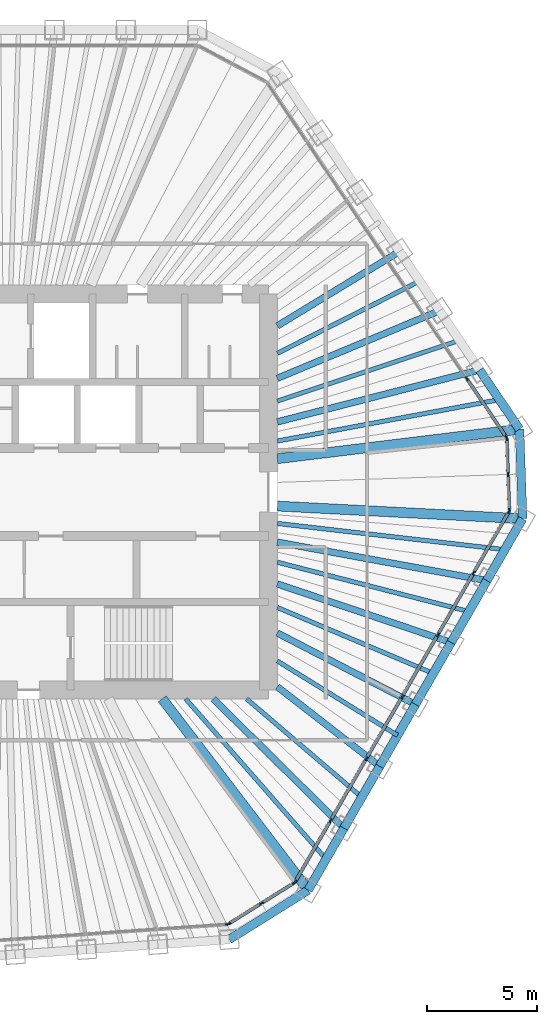
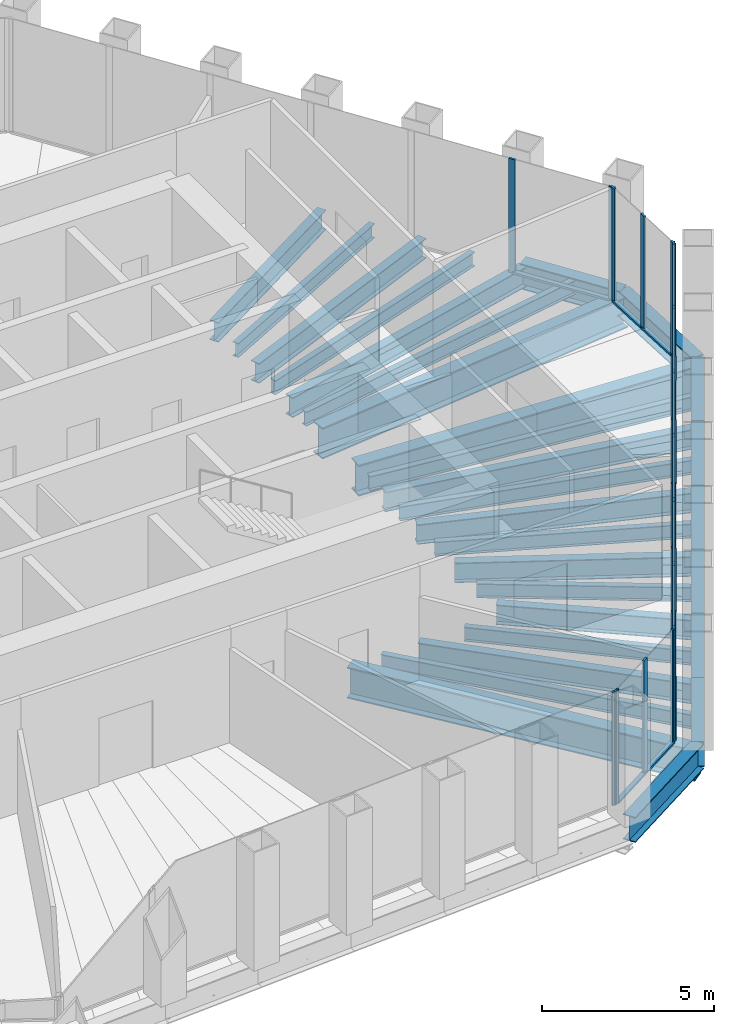
# One storey, part 5 of 15: 29 beams, 27 members, 5 elements without a shape of their own.
"""IFC4 building model written with IfcOpenShell, lengths in metres."""

from ifc_helpers import new_model, si_unit, direction, frame, origin, origin_2d, place, context, subcontext, project, spatial, rectangle, i_section, extrude, material, material_profile, profile_set, type_object, element, aggregate, save


model = new_model("IFC4")

# Units and contexts
model_context = context("Model", 3, precision=1e-05, world=origin(), true_north=direction((0.0, 1.0)))
body_context = subcontext(model_context, "Body", "Model", "MODEL_VIEW")
ifc_project = project(units=[si_unit("LENGTHUNIT", "METRE"), si_unit("AREAUNIT", "SQUARE_METRE"), si_unit("VOLUMEUNIT", "CUBIC_METRE"), si_unit("PLANEANGLEUNIT", "RADIAN"), si_unit("MASSUNIT", "GRAM", prefix="KILO")], contexts=[model_context])

# Site, building, storey
site_placement = place(None, origin())
site = spatial("IfcSite", under=ifc_project, at=site_placement, CompositionType="ELEMENT")
building_placement = place(site_placement, origin())
building = spatial("IfcBuilding", under=site, at=building_placement, Name="Qingtian Harvest Tower", CompositionType="ELEMENT")
storey_placement = place(building_placement, frame((0.0, 0.0, 312.39990234375)))
storey = spatial("IfcBuildingStorey", under=building, at=storey_placement, Name="L69", CompositionType="ELEMENT", Elevation=312.39990234375)

# Beams
ifc_material_1 = material(Name="Steel SM570MC", Category="steel")
ifc_material_profile_1 = material_profile(ifc_material_1, i_section(OverallWidth=0.449951171875, OverallDepth=1.10009765625, WebThickness=0.02197265625, FlangeThickness=0.044921875, at=origin_2d()), Name="H1100x450x22x45")
ifc_profile_set_1 = profile_set([ifc_material_profile_1], Name="Steel SM570MC")
beam_type_1 = type_object("IfcBeamType", Name="Corner floor beam FB8 H1100x450x22x45", PredefinedType="BEAM", material=ifc_profile_set_1)
beam_1_placement = place(storey_placement, frame((23.405517578125, 2.85400390625, -0.719970703125), z_axis=(-0.992647039178, -0.121044849583, 0.0), x_axis=(0.121044849583, -0.992647039178, 0.0)))
element("IfcBeam", 1, at=beam_1_placement, inside=storey, type_object=beam_type_1, Name="Floor beam FB8 NE6", PredefinedType="BEAM", context=body_context, shape_type="SweptSolid", body=[
    extrude(i_section(OverallWidth=0.449951171875, OverallDepth=1.10009765625, WebThickness=0.02197265625, FlangeThickness=0.044921875, at=origin_2d()), origin(), (0.0, 0.0, 1.0), 11.087158203125),
])
beam_2_placement = place(storey_placement, frame((23.547607421875, -1.21435546875, -0.719970703125), z_axis=(-0.998672618964, 0.051507282312, 0.0), x_axis=(-0.051507282312, -0.998672618964, 0.0)))
element("IfcBeam", 2, at=beam_2_placement, inside=storey, type_object=beam_type_1, Name="Floor beam FB8 SE0", PredefinedType="BEAM", context=body_context, shape_type="SweptSolid", body=[
    extrude(i_section(OverallWidth=0.449951171875, OverallDepth=1.10009765625, WebThickness=0.02197265625, FlangeThickness=0.044921875, at=origin_2d()), origin(), (0.0, 0.0, 1.0), 11.16259765625),
])
beam_3_placement = place(storey_placement, frame((13.803466796875, -18.091552734375, -0.719970703125), z_axis=(-0.606571927806, 0.795028613572, 0.0), x_axis=(-0.795028613572, -0.606571927806, 0.0)))
element("IfcBeam", 3, at=beam_3_placement, inside=storey, type_object=beam_type_1, Name="Floor beam FB8 SE6", PredefinedType="BEAM", context=body_context, shape_type="SweptSolid", body=[
    extrude(i_section(OverallWidth=0.449951171875, OverallDepth=1.10009765625, WebThickness=0.02197265625, FlangeThickness=0.044921875, at=origin_2d()), origin(), (0.0, 0.0, 1.0), 10.9326171875),
])
ifc_material_2 = material(Name="Steel SN490B", Category="steel")
ifc_material_profile_2 = material_profile(ifc_material_2, i_section(OverallWidth=0.300048828125, OverallDepth=0.699951171875, WebThickness=0.012939453125, FlangeThickness=0.02392578125, at=origin_2d()), Name="H700x300x13x24")
ifc_profile_set_2 = profile_set([ifc_material_profile_2], Name="Steel SN490B")
beam_type_2 = type_object("IfcBeamType", Name="Floor beam FB4 H700x300x13x24", PredefinedType="BEAM", material=ifc_profile_set_2)
beam_4_placement = place(storey_placement, frame((17.956787109375, 10.93212890625, -0.52001953125), z_axis=(-0.854157247087, -0.520014804836, 0.0), x_axis=(0.520014804836, -0.854157247087, 0.0)))
element("IfcBeam", 4, at=beam_4_placement, inside=storey, type_object=beam_type_2, Name="Floor beam FB4 NE3", PredefinedType="BEAM", context=body_context, shape_type="SweptSolid", body=[
    extrude(i_section(OverallWidth=0.300048828125, OverallDepth=0.699951171875, WebThickness=0.012939453125, FlangeThickness=0.02392578125, at=origin_2d()), origin(), (0.0, 0.0, 1.0), 6.505615234375),
])
beam_5_placement = place(storey_placement, frame((19.77294921875, 8.2392578125, -0.52001953125), z_axis=(-0.923069688542, -0.38463274704, 0.0), x_axis=(0.38463274704, -0.923069688542, 0.0)))
element("IfcBeam", 5, at=beam_5_placement, inside=storey, type_object=beam_type_2, Name="Floor beam FB4 NE4", PredefinedType="BEAM", context=body_context, shape_type="SweptSolid", body=[
    extrude(i_section(OverallWidth=0.300048828125, OverallDepth=0.699951171875, WebThickness=0.012939453125, FlangeThickness=0.02392578125, at=origin_2d()), origin(), (0.0, 0.0, 1.0), 7.987548828125),
])
beam_6_placement = place(storey_placement, frame((21.58935546875, 5.546630859375, -0.52001953125), z_axis=(-0.96854787986, -0.248827258189, 0.0), x_axis=(0.248827258189, -0.96854787986, 0.0)))
element("IfcBeam", 6, at=beam_6_placement, inside=storey, type_object=beam_type_2, Name="Floor beam FB4 NE5", PredefinedType="BEAM", context=body_context, shape_type="SweptSolid", body=[
    extrude(i_section(OverallWidth=0.300048828125, OverallDepth=0.699951171875, WebThickness=0.012939453125, FlangeThickness=0.02392578125, at=origin_2d()), origin(), (0.0, 0.0, 1.0), 9.48779296875),
])
beam_7_placement = place(storey_placement, frame((21.923583984375, -4.027099609375, -0.52001953125), z_axis=(-0.983546800525, 0.180653511389, 0.0), x_axis=(-0.180653511389, -0.983546800525, 0.0)))
element("IfcBeam", 7, at=beam_7_placement, inside=storey, type_object=beam_type_2, Name="Floor beam FB4 SE1", PredefinedType="BEAM", context=body_context, shape_type="SweptSolid", body=[
    extrude(i_section(OverallWidth=0.300048828125, OverallDepth=0.699951171875, WebThickness=0.012939453125, FlangeThickness=0.02392578125, at=origin_2d()), origin(), (0.0, 0.0, 1.0), 9.68310546875),
])
beam_8_placement = place(storey_placement, frame((20.299560546875, -6.840087890625, -0.52001953125), z_axis=(-0.947647345861, 0.319318818553, 0.0), x_axis=(-0.319318818553, -0.947647345861, 0.0)))
element("IfcBeam", 8, at=beam_8_placement, inside=storey, type_object=beam_type_2, Name="Floor beam FB4 SE2", PredefinedType="BEAM", context=body_context, shape_type="SweptSolid", body=[
    extrude(i_section(OverallWidth=0.300048828125, OverallDepth=0.699951171875, WebThickness=0.012939453125, FlangeThickness=0.02392578125, at=origin_2d()), origin(), (0.0, 0.0, 1.0), 8.336181640625),
])
beam_9_placement = place(storey_placement, frame((18.675537109375, -9.65283203125, -0.52001953125), z_axis=(-0.888354253651, 0.459158708967, 0.0), x_axis=(-0.459158708967, -0.888354253651, 0.0)))
element("IfcBeam", 9, at=beam_9_placement, inside=storey, type_object=beam_type_2, Name="Floor beam FB4 SE3", PredefinedType="BEAM", context=body_context, shape_type="SweptSolid", body=[
    extrude(i_section(OverallWidth=0.300048828125, OverallDepth=0.699951171875, WebThickness=0.012939453125, FlangeThickness=0.02392578125, at=origin_2d()), origin(), (0.0, 0.0, 1.0), 7.064453125),
])
beam_10_placement = place(storey_placement, frame((17.051513671875, -12.4658203125, -0.52001953125), z_axis=(-0.789532919969, 0.613708211029, 0.0), x_axis=(-0.613708211029, -0.789532919969, 0.0)))
element("IfcBeam", 10, at=beam_10_placement, inside=storey, type_object=beam_type_2, Name="Floor beam FB4 SE4", PredefinedType="BEAM", context=body_context, shape_type="SweptSolid", body=[
    extrude(i_section(OverallWidth=0.300048828125, OverallDepth=0.699951171875, WebThickness=0.012939453125, FlangeThickness=0.02392578125, at=origin_2d()), origin(), (0.0, 0.0, 1.0), 5.8916015625),
])
beam_11_placement = place(storey_placement, frame((15.427490234375, -15.278564453125, -0.52001953125), z_axis=(-0.71051769643, 0.703679332552, 0.0), x_axis=(-0.703679332552, -0.71051769643, 0.0)))
element("IfcBeam", 11, at=beam_11_placement, inside=storey, type_object=beam_type_2, Name="Floor beam FB4 SE5", PredefinedType="BEAM", context=body_context, shape_type="SweptSolid", body=[
    extrude(i_section(OverallWidth=0.300048828125, OverallDepth=0.699951171875, WebThickness=0.012939453125, FlangeThickness=0.02392578125, at=origin_2d()), origin(), (0.0, 0.0, 1.0), 8.354248046875),
])
ifc_material_3 = material(Name="Steel SN490B", Category="steel")
ifc_material_profile_3 = material_profile(ifc_material_3, i_section(OverallWidth=0.199951171875, OverallDepth=0.5, WebThickness=0.010009765625, FlangeThickness=0.01611328125, at=origin_2d()), Name="H500x200x10x16")
ifc_profile_set_3 = profile_set([ifc_material_profile_3], Name="Steel SN490B")
beam_type_3 = type_object("IfcBeamType", Name="Floor joist J3 H500x200x10x16", PredefinedType="JOIST", material=ifc_profile_set_3)
beam_12_placement = place(storey_placement, frame((18.864990234375, 9.585693359375, -0.419921875), z_axis=(-0.891519956149, -0.452981421018, 0.0), x_axis=(0.452981421018, -0.891519956149, 0.0)))
element("IfcBeam", 12, at=beam_12_placement, inside=storey, type_object=beam_type_3, Name="Floor joist J3 NE3", PredefinedType="JOIST", context=body_context, shape_type="SweptSolid", body=[
    extrude(i_section(OverallWidth=0.199951171875, OverallDepth=0.5, WebThickness=0.010009765625, FlangeThickness=0.01611328125, at=origin_2d()), origin(), (0.0, 0.0, 1.0), 7.251708984375),
])
beam_13_placement = place(storey_placement, frame((20.68115234375, 6.89306640625, -0.419921875), z_axis=(-0.948688891587, -0.316210984914, 0.0), x_axis=(0.316210984914, -0.948688891587, 0.0)))
element("IfcBeam", 13, at=beam_13_placement, inside=storey, type_object=beam_type_3, Name="Floor joist J3 NE4", PredefinedType="JOIST", context=body_context, shape_type="SweptSolid", body=[
    extrude(i_section(OverallWidth=0.199951171875, OverallDepth=0.5, WebThickness=0.010009765625, FlangeThickness=0.01611328125, at=origin_2d()), origin(), (0.0, 0.0, 1.0), 8.729248046875),
])
beam_14_placement = place(storey_placement, frame((22.49755859375, 4.2001953125, -0.419921875), z_axis=(-0.983018248018, -0.183507831067, 0.0), x_axis=(0.183507831067, -0.983018248018, 0.0)))
element("IfcBeam", 14, at=beam_14_placement, inside=storey, type_object=beam_type_3, Name="Floor joist J3 NE5", PredefinedType="JOIST", context=body_context, shape_type="SweptSolid", body=[
    extrude(i_section(OverallWidth=0.199951171875, OverallDepth=0.5, WebThickness=0.010009765625, FlangeThickness=0.01611328125, at=origin_2d()), origin(), (0.0, 0.0, 1.0), 10.27197265625),
])
beam_15_placement = place(storey_placement, frame((22.735595703125, -2.62060546875, -0.419921875), z_axis=(-0.993421775836, 0.114512773499, 0.0), x_axis=(-0.114512773499, -0.993421775836, 0.0)))
element("IfcBeam", 15, at=beam_15_placement, inside=storey, type_object=beam_type_3, Name="Floor joist J3 SE0", PredefinedType="JOIST", context=body_context, shape_type="SweptSolid", body=[
    extrude(i_section(OverallWidth=0.199951171875, OverallDepth=0.5, WebThickness=0.010009765625, FlangeThickness=0.01611328125, at=origin_2d()), origin(), (0.0, 0.0, 1.0), 10.404052734375),
])
beam_16_placement = place(storey_placement, frame((21.111572265625, -5.43359375, -0.419921875), z_axis=(-0.968438109541, 0.249254143374, 0.0), x_axis=(-0.249254143374, -0.968438109541, 0.0)))
element("IfcBeam", 16, at=beam_16_placement, inside=storey, type_object=beam_type_3, Name="Floor joist J3 SE1", PredefinedType="JOIST", context=body_context, shape_type="SweptSolid", body=[
    extrude(i_section(OverallWidth=0.199951171875, OverallDepth=0.5, WebThickness=0.010009765625, FlangeThickness=0.01611328125, at=origin_2d()), origin(), (0.0, 0.0, 1.0), 8.99560546875),
])
beam_17_placement = place(storey_placement, frame((19.487548828125, -8.246337890625, -0.419921875), z_axis=(-0.92094842321, 0.389684490052, 0.0), x_axis=(-0.389684490052, -0.92094842321, 0.0)))
element("IfcBeam", 17, at=beam_17_placement, inside=storey, type_object=beam_type_3, Name="Floor joist J3 SE2", PredefinedType="JOIST", context=body_context, shape_type="SweptSolid", body=[
    extrude(i_section(OverallWidth=0.199951171875, OverallDepth=0.5, WebThickness=0.010009765625, FlangeThickness=0.01611328125, at=origin_2d()), origin(), (0.0, 0.0, 1.0), 7.696044921875),
])
beam_18_placement = place(storey_placement, frame((17.863525390625, -11.059326171875, -0.419921875), z_axis=(-0.850242474743, 0.526391236765, 0.0), x_axis=(-0.526391236765, -0.850242474743, 0.0)))
element("IfcBeam", 18, at=beam_18_placement, inside=storey, type_object=beam_type_3, Name="Floor joist J3 SE3", PredefinedType="JOIST", context=body_context, shape_type="SweptSolid", body=[
    extrude(i_section(OverallWidth=0.199951171875, OverallDepth=0.5, WebThickness=0.010009765625, FlangeThickness=0.01611328125, at=origin_2d()), origin(), (0.0, 0.0, 1.0), 6.426025390625),
])
beam_19_placement = place(storey_placement, frame((16.239501953125, -13.8720703125, -0.419921875), z_axis=(-0.760351789284, 0.649511475289, 0.0), x_axis=(-0.649511475289, -0.760351789284, 0.0)))
element("IfcBeam", 19, at=beam_19_placement, inside=storey, type_object=beam_type_3, Name="Floor joist J3 SE4", PredefinedType="JOIST", context=body_context, shape_type="SweptSolid", body=[
    extrude(i_section(OverallWidth=0.199951171875, OverallDepth=0.5, WebThickness=0.010009765625, FlangeThickness=0.01611328125, at=origin_2d()), origin(), (0.0, 0.0, 1.0), 6.885498046875),
])
beam_20_placement = place(storey_placement, frame((14.615478515625, -16.68505859375, -0.419921875), z_axis=(-0.658904284354, 0.75222679031, 0.0), x_axis=(-0.75222679031, -0.658904284354, 0.0)))
element("IfcBeam", 20, at=beam_20_placement, inside=storey, type_object=beam_type_3, Name="Floor joist J3 SE5", PredefinedType="JOIST", context=body_context, shape_type="SweptSolid", body=[
    extrude(i_section(OverallWidth=0.199951171875, OverallDepth=0.5, WebThickness=0.010009765625, FlangeThickness=0.01611328125, at=origin_2d()), origin(), (0.0, 0.0, 1.0), 9.684814453125),
])

# Curtain wall, members
ifc_material_4 = material(Name="Bronze-anodised aluminium curtain wall", Category="aluminium")
curtain_wall_type = type_object("IfcCurtainWallType", Name="Curtain wall CW5 upper office", PredefinedType="USERDEFINED", material=ifc_material_4)
curtain_wall_1_placement = place(storey_placement, origin())
curtain_wall_1 = element("IfcCurtainWall", 21, at=curtain_wall_1_placement, inside=storey, type_object=curtain_wall_type, Name="Curtain wall CW5 L69 NE0-5", ObjectType="RECESSED CURTAIN WALL", PredefinedType="USERDEFINED")
ifc_material_5 = material(Name="Bronze-anodised aluminium mullion", Category="aluminium")
ifc_material_profile_4 = material_profile(ifc_material_5, rectangle(XDim=0.06494140625, YDim=0.199951171875, at=origin_2d()), Name="AL 65x200")
ifc_profile_set_4 = profile_set([ifc_material_profile_4], Name="Bronze-anodised aluminium mullion")
member_type_1 = type_object("IfcMemberType", Name="Mullion CWM 65x200", PredefinedType="MULLION", material=ifc_profile_set_4)
member_1_placement = place(storey_placement, frame((21.009033203125, 5.1552734375, 0.0), z_axis=(0.0, 0.0, 1.0), x_axis=(0.829037572555, 0.559192903471, 0.0)))
member_1 = element("IfcMember", 22, at=member_1_placement, type_object=member_type_1, Name="CW5 mullion 6", PredefinedType="MULLION", context=body_context, shape_type="SweptSolid", body=[
    extrude(rectangle(XDim=0.06494140625, YDim=0.199951171875, at=origin_2d()), origin(), (0.0, 0.0, 1.0), 4.030029296875),
])
member_2_placement = place(storey_placement, frame((22.80712890625, 2.489501953125, 0.0), z_axis=(0.0, 0.0, 1.0), x_axis=(0.829037572555, 0.559192903471, 0.0)))
member_2 = element("IfcMember", 23, at=member_2_placement, type_object=member_type_1, Name="CW5 mullion 7", PredefinedType="MULLION", context=body_context, shape_type="SweptSolid", body=[
    extrude(rectangle(XDim=0.06494140625, YDim=0.199951171875, at=origin_2d()), origin(), (0.0, 0.0, 1.0), 4.030029296875),
])

curtain_wall_2_placement = place(storey_placement, origin())
curtain_wall_2 = element("IfcCurtainWall", 24, at=curtain_wall_2_placement, inside=storey, type_object=curtain_wall_type, Name="Curtain wall CW5 L69 NEC", ObjectType="RECESSED CURTAIN WALL", PredefinedType="USERDEFINED")
member_3_placement = place(storey_placement, frame((22.826416015625, 2.429931640625, 0.0), z_axis=(0.0, 0.0, 1.0), x_axis=(0.999390827019, 0.034899496703, 0.0)))
member_3 = element("IfcMember", 25, at=member_3_placement, type_object=member_type_1, Name="CW5 mullion 1", PredefinedType="MULLION", context=body_context, shape_type="SweptSolid", body=[
    extrude(rectangle(XDim=0.06494140625, YDim=0.199951171875, at=origin_2d()), origin(), (0.0, 0.0, 1.0), 4.030029296875),
])
member_4_placement = place(storey_placement, frame((22.88330078125, 0.799072265625, 0.0), z_axis=(0.0, 0.0, 1.0), x_axis=(0.999390827019, 0.034899496703, 0.0)))
member_4 = element("IfcMember", 26, at=member_4_placement, type_object=member_type_1, Name="CW5 mullion 2", PredefinedType="MULLION", context=body_context, shape_type="SweptSolid", body=[
    extrude(rectangle(XDim=0.06494140625, YDim=0.199951171875, at=origin_2d()), origin(), (0.0, 0.0, 1.0), 4.030029296875),
])
member_5_placement = place(storey_placement, frame((22.9404296875, -0.831787109375, 0.0), z_axis=(0.0, 0.0, 1.0), x_axis=(0.999390827019, 0.034899496703, 0.0)))
member_5 = element("IfcMember", 27, at=member_5_placement, type_object=member_type_1, Name="CW5 mullion 3", PredefinedType="MULLION", context=body_context, shape_type="SweptSolid", body=[
    extrude(rectangle(XDim=0.06494140625, YDim=0.199951171875, at=origin_2d()), origin(), (0.0, 0.0, 1.0), 4.030029296875),
])

curtain_wall_3_placement = place(storey_placement, origin())
curtain_wall_3 = element("IfcCurtainWall", 28, at=curtain_wall_3_placement, inside=storey, type_object=curtain_wall_type, Name="Curtain wall CW5 L69 SE0-5", ObjectType="RECESSED CURTAIN WALL", PredefinedType="USERDEFINED")
member_6_placement = place(storey_placement, frame((22.92529296875, -0.892333984375, 0.0), z_axis=(0.0, 0.0, 1.0), x_axis=(0.866025403784, -0.5, 0.0)))
member_6 = element("IfcMember", 29, at=member_6_placement, type_object=member_type_1, Name="CW5 mullion 1", PredefinedType="MULLION", context=body_context, shape_type="SweptSolid", body=[
    extrude(rectangle(XDim=0.06494140625, YDim=0.199951171875, at=origin_2d()), origin(), (0.0, 0.0, 1.0), 4.030029296875),
])
member_7_placement = place(storey_placement, frame((21.3173828125, -3.67724609375, 0.0), z_axis=(0.0, 0.0, 1.0), x_axis=(0.866025403784, -0.5, 0.0)))
member_7 = element("IfcMember", 30, at=member_7_placement, type_object=member_type_1, Name="CW5 mullion 2", PredefinedType="MULLION", context=body_context, shape_type="SweptSolid", body=[
    extrude(rectangle(XDim=0.06494140625, YDim=0.199951171875, at=origin_2d()), origin(), (0.0, 0.0, 1.0), 4.030029296875),
])
member_8_placement = place(storey_placement, frame((19.693359375, -6.489990234375, 0.0), z_axis=(0.0, 0.0, 1.0), x_axis=(0.866025403784, -0.5, 0.0)))
member_8 = element("IfcMember", 31, at=member_8_placement, type_object=member_type_1, Name="CW5 mullion 3", PredefinedType="MULLION", context=body_context, shape_type="SweptSolid", body=[
    extrude(rectangle(XDim=0.06494140625, YDim=0.199951171875, at=origin_2d()), origin(), (0.0, 0.0, 1.0), 4.030029296875),
])
member_9_placement = place(storey_placement, frame((18.0693359375, -9.302978515625, 0.0), z_axis=(0.0, 0.0, 1.0), x_axis=(0.866025403784, -0.5, 0.0)))
member_9 = element("IfcMember", 32, at=member_9_placement, type_object=member_type_1, Name="CW5 mullion 4", PredefinedType="MULLION", context=body_context, shape_type="SweptSolid", body=[
    extrude(rectangle(XDim=0.06494140625, YDim=0.199951171875, at=origin_2d()), origin(), (0.0, 0.0, 1.0), 4.030029296875),
])
member_10_placement = place(storey_placement, frame((16.4453125, -12.11572265625, 0.0), z_axis=(0.0, 0.0, 1.0), x_axis=(0.866025403784, -0.5, 0.0)))
member_10 = element("IfcMember", 33, at=member_10_placement, type_object=member_type_1, Name="CW5 mullion 5", PredefinedType="MULLION", context=body_context, shape_type="SweptSolid", body=[
    extrude(rectangle(XDim=0.06494140625, YDim=0.199951171875, at=origin_2d()), origin(), (0.0, 0.0, 1.0), 4.030029296875),
])
member_11_placement = place(storey_placement, frame((14.8212890625, -14.9287109375, 0.0), z_axis=(0.0, 0.0, 1.0), x_axis=(0.866025403784, -0.5, 0.0)))
member_11 = element("IfcMember", 34, at=member_11_placement, type_object=member_type_1, Name="CW5 mullion 6", PredefinedType="MULLION", context=body_context, shape_type="SweptSolid", body=[
    extrude(rectangle(XDim=0.06494140625, YDim=0.199951171875, at=origin_2d()), origin(), (0.0, 0.0, 1.0), 4.030029296875),
])
member_12_placement = place(storey_placement, frame((13.213623046875, -17.71337890625, 0.0), z_axis=(0.0, 0.0, 1.0), x_axis=(0.866025403784, -0.5, 0.0)))
member_12 = element("IfcMember", 35, at=member_12_placement, type_object=member_type_1, Name="CW5 mullion 7", PredefinedType="MULLION", context=body_context, shape_type="SweptSolid", body=[
    extrude(rectangle(XDim=0.06494140625, YDim=0.199951171875, at=origin_2d()), origin(), (0.0, 0.0, 1.0), 4.030029296875),
])

curtain_wall_4_placement = place(storey_placement, origin())
curtain_wall_4 = element("IfcCurtainWall", 36, at=curtain_wall_4_placement, inside=storey, type_object=curtain_wall_type, Name="Curtain wall CW5 L69 SEC", ObjectType="RECESSED CURTAIN WALL", PredefinedType="USERDEFINED")
member_13_placement = place(storey_placement, frame((13.169921875, -17.7587890625, 0.0), z_axis=(0.0, 0.0, 1.0), x_axis=(0.529919264233, -0.848048096156, 0.0)))
member_13 = element("IfcMember", 37, at=member_13_placement, type_object=member_type_1, Name="CW5 mullion 1", PredefinedType="MULLION", context=body_context, shape_type="SweptSolid", body=[
    extrude(rectangle(XDim=0.06494140625, YDim=0.199951171875, at=origin_2d()), origin(), (0.0, 0.0, 1.0), 4.030029296875),
])
member_14_placement = place(storey_placement, frame((11.678955078125, -18.690185546875, 0.0), z_axis=(0.0, 0.0, 1.0), x_axis=(0.529919264233, -0.848048096156, 0.0)))
member_14 = element("IfcMember", 38, at=member_14_placement, type_object=member_type_1, Name="CW5 mullion 2", PredefinedType="MULLION", context=body_context, shape_type="SweptSolid", body=[
    extrude(rectangle(XDim=0.06494140625, YDim=0.199951171875, at=origin_2d()), origin(), (0.0, 0.0, 1.0), 4.030029296875),
])
member_15_placement = place(storey_placement, frame((10.188232421875, -19.621826171875, 0.0), z_axis=(0.0, 0.0, 1.0), x_axis=(0.529919264233, -0.848048096156, 0.0)))
member_15 = element("IfcMember", 39, at=member_15_placement, type_object=member_type_1, Name="CW5 mullion 3", PredefinedType="MULLION", context=body_context, shape_type="SweptSolid", body=[
    extrude(rectangle(XDim=0.06494140625, YDim=0.199951171875, at=origin_2d()), origin(), (0.0, 0.0, 1.0), 4.030029296875),
])

# Curtain wall, member
curtain_wall_5_placement = place(storey_placement, origin())
curtain_wall_5 = element("IfcCurtainWall", 40, at=curtain_wall_5_placement, inside=storey, type_object=curtain_wall_type, Name="Curtain wall CW5 L69 S0-5", ObjectType="RECESSED CURTAIN WALL", PredefinedType="USERDEFINED")
member_16_placement = place(storey_placement, frame((10.128173828125, -19.641357421875, 0.0), z_axis=(0.0, 0.0, 1.0), x_axis=(0.069756473744, -0.99756405026, 0.0)))
member_16 = element("IfcMember", 41, at=member_16_placement, type_object=member_type_1, Name="CW5 mullion 1", PredefinedType="MULLION", context=body_context, shape_type="SweptSolid", body=[
    extrude(rectangle(XDim=0.06494140625, YDim=0.199951171875, at=origin_2d()), origin(), (0.0, 0.0, 1.0), 4.030029296875),
])
aggregate(curtain_wall_5, [member_16])

# Beams
ifc_material_6 = material(Name="Steel SN490B", Category="steel")
ifc_material_profile_5 = material_profile(ifc_material_6, i_section(OverallWidth=0.39990234375, OverallDepth=0.89990234375, WebThickness=0.01904296875, FlangeThickness=0.035888671875, at=origin_2d()), Name="H900x400x19x36")
ifc_profile_set_5 = profile_set([ifc_material_profile_5], Name="Steel SN490B")
beam_type_4 = type_object("IfcBeamType", Name="Spandrel beam SB4 H900x400x19x36", PredefinedType="SPANDREL", material=ifc_profile_set_5)
beam_21_placement = place(storey_placement, frame((21.58935546875, 5.546630859375, -0.449951171875), z_axis=(0.559184924833, -0.829042954158, 0.0), x_axis=(0.829042954158, 0.559184924833, 0.0)))
element("IfcBeam", 42, at=beam_21_placement, inside=storey, type_object=beam_type_4, Name="Spandrel SB4 NE5", PredefinedType="SPANDREL", context=body_context, shape_type="SweptSolid", body=[
    extrude(i_section(OverallWidth=0.39990234375, OverallDepth=0.89990234375, WebThickness=0.01904296875, FlangeThickness=0.035888671875, at=origin_2d()), origin(), (0.0, 0.0, 1.0), 3.247802734375),
])
beam_22_placement = place(storey_placement, frame((23.405517578125, 2.85400390625, -0.449951171875), z_axis=(0.034904306503, -0.999390659046, 0.0), x_axis=(0.999390659046, 0.034904306503, 0.0)))
element("IfcBeam", 43, at=beam_22_placement, inside=storey, type_object=beam_type_4, Name="Spandrel SB4 NEC", PredefinedType="SPANDREL", context=body_context, shape_type="SweptSolid", body=[
    extrude(i_section(OverallWidth=0.39990234375, OverallDepth=0.89990234375, WebThickness=0.01904296875, FlangeThickness=0.035888671875, at=origin_2d()), origin(), (0.0, 0.0, 1.0), 4.07080078125),
])
beam_23_placement = place(storey_placement, frame((23.547607421875, -1.21435546875, -0.449951171875), z_axis=(-0.500019593356, -0.866014091259, 0.0), x_axis=(0.866014091259, -0.500019593356, 0.0)))
element("IfcBeam", 44, at=beam_23_placement, inside=storey, type_object=beam_type_4, Name="Spandrel SB4 SE0", PredefinedType="SPANDREL", context=body_context, shape_type="SweptSolid", body=[
    extrude(i_section(OverallWidth=0.39990234375, OverallDepth=0.89990234375, WebThickness=0.01904296875, FlangeThickness=0.035888671875, at=origin_2d()), origin(), (0.0, 0.0, 1.0), 3.247802734375),
])
beam_24_placement = place(storey_placement, frame((21.923583984375, -4.027099609375, -0.449951171875), z_axis=(-0.499987045439, -0.866032882975, 0.0), x_axis=(0.866032882975, -0.499987045439, 0.0)))
element("IfcBeam", 45, at=beam_24_placement, inside=storey, type_object=beam_type_4, Name="Spandrel SB4 SE1", PredefinedType="SPANDREL", context=body_context, shape_type="SweptSolid", body=[
    extrude(i_section(OverallWidth=0.39990234375, OverallDepth=0.89990234375, WebThickness=0.01904296875, FlangeThickness=0.035888671875, at=origin_2d()), origin(), (0.0, 0.0, 1.0), 3.248046875),
])
beam_25_placement = place(storey_placement, frame((20.299560546875, -6.840087890625, -0.449951171875), z_axis=(-0.500019593356, -0.866014091259, 0.0), x_axis=(0.866014091259, -0.500019593356, 0.0)))
element("IfcBeam", 46, at=beam_25_placement, inside=storey, type_object=beam_type_4, Name="Spandrel SB4 SE2", PredefinedType="SPANDREL", context=body_context, shape_type="SweptSolid", body=[
    extrude(i_section(OverallWidth=0.39990234375, OverallDepth=0.89990234375, WebThickness=0.01904296875, FlangeThickness=0.035888671875, at=origin_2d()), origin(), (0.0, 0.0, 1.0), 3.247802734375),
])
beam_26_placement = place(storey_placement, frame((18.675537109375, -9.65283203125, -0.449951171875), z_axis=(-0.499987045439, -0.866032882975, 0.0), x_axis=(0.866032882975, -0.499987045439, 0.0)))
element("IfcBeam", 47, at=beam_26_placement, inside=storey, type_object=beam_type_4, Name="Spandrel SB4 SE3", PredefinedType="SPANDREL", context=body_context, shape_type="SweptSolid", body=[
    extrude(i_section(OverallWidth=0.39990234375, OverallDepth=0.89990234375, WebThickness=0.01904296875, FlangeThickness=0.035888671875, at=origin_2d()), origin(), (0.0, 0.0, 1.0), 3.248046875),
])
beam_27_placement = place(storey_placement, frame((17.051513671875, -12.4658203125, -0.449951171875), z_axis=(-0.500019593356, -0.866014091259, 0.0), x_axis=(0.866014091259, -0.500019593356, 0.0)))
element("IfcBeam", 48, at=beam_27_placement, inside=storey, type_object=beam_type_4, Name="Spandrel SB4 SE4", PredefinedType="SPANDREL", context=body_context, shape_type="SweptSolid", body=[
    extrude(i_section(OverallWidth=0.39990234375, OverallDepth=0.89990234375, WebThickness=0.01904296875, FlangeThickness=0.035888671875, at=origin_2d()), origin(), (0.0, 0.0, 1.0), 3.247802734375),
])
beam_28_placement = place(storey_placement, frame((15.427490234375, -15.278564453125, -0.449951171875), z_axis=(-0.499987045439, -0.866032882975, 0.0), x_axis=(0.866032882975, -0.499987045439, 0.0)))
element("IfcBeam", 49, at=beam_28_placement, inside=storey, type_object=beam_type_4, Name="Spandrel SB4 SE5", PredefinedType="SPANDREL", context=body_context, shape_type="SweptSolid", body=[
    extrude(i_section(OverallWidth=0.39990234375, OverallDepth=0.89990234375, WebThickness=0.01904296875, FlangeThickness=0.035888671875, at=origin_2d()), origin(), (0.0, 0.0, 1.0), 3.248046875),
])
beam_29_placement = place(storey_placement, frame((13.803466796875, -18.091552734375, -0.449951171875), z_axis=(-0.848040374245, -0.529931621675, 0.0), x_axis=(0.529931621675, -0.848040374245, 0.0)))
element("IfcBeam", 50, at=beam_29_placement, inside=storey, type_object=beam_type_4, Name="Spandrel SB4 SEC", PredefinedType="SPANDREL", context=body_context, shape_type="SweptSolid", body=[
    extrude(i_section(OverallWidth=0.39990234375, OverallDepth=0.89990234375, WebThickness=0.01904296875, FlangeThickness=0.035888671875, at=origin_2d()), origin(), (0.0, 0.0, 1.0), 4.238037109375),
])

# Member
ifc_material_7 = material(Name="Bronze-anodised aluminium transom", Category="aluminium")
ifc_material_profile_6 = material_profile(ifc_material_7, rectangle(XDim=0.14990234375, YDim=0.06494140625, at=origin_2d()), Name="AL 65x150")
ifc_profile_set_6 = profile_set([ifc_material_profile_6], Name="Bronze-anodised aluminium transom")
member_type_2 = type_object("IfcMemberType", Name="Transom CWT 65x150", PredefinedType="USERDEFINED", material=ifc_profile_set_6)
member_17_placement = place(storey_placement, frame((21.027099609375, 5.128173828125, 0.03271484375), z_axis=(0.559198649732, -0.829033696624, 0.0), x_axis=(0.829033696624, 0.559198649732, 0.0)))
member_17 = element("IfcMember", 51, at=member_17_placement, type_object=member_type_2, Name="CW5 transom 6.1", ObjectType="TRANSOM", PredefinedType="USERDEFINED", context=body_context, shape_type="SweptSolid", body=[
    extrude(rectangle(XDim=0.14990234375, YDim=0.06494140625, at=origin_2d()), origin(), (0.0, 0.0, 1.0), 3.150390625),
])

aggregate(curtain_wall_1, [member_1, member_2, member_17])

member_18_placement = place(storey_placement, frame((22.82763671875, 2.3974609375, 0.03271484375), z_axis=(0.034902326647, -0.999390728191, 0.0), x_axis=(0.999390728191, 0.034902326647, 0.0)))
member_18 = element("IfcMember", 52, at=member_18_placement, type_object=member_type_2, Name="CW5 transom 1.1", ObjectType="TRANSOM", PredefinedType="USERDEFINED", context=body_context, shape_type="SweptSolid", body=[
    extrude(rectangle(XDim=0.14990234375, YDim=0.06494140625, at=origin_2d()), origin(), (0.0, 0.0, 1.0), 1.56689453125),
])

member_19_placement = place(storey_placement, frame((22.884521484375, 0.7666015625, 0.03271484375), z_axis=(0.034902326647, -0.999390728191, 0.0), x_axis=(0.999390728191, 0.034902326647, 0.0)))
member_19 = element("IfcMember", 53, at=member_19_placement, type_object=member_type_2, Name="CW5 transom 2.1", ObjectType="TRANSOM", PredefinedType="USERDEFINED", context=body_context, shape_type="SweptSolid", body=[
    extrude(rectangle(XDim=0.14990234375, YDim=0.06494140625, at=origin_2d()), origin(), (0.0, 0.0, 1.0), 1.56689453125),
])

aggregate(curtain_wall_2, [member_3, member_4, member_5, member_18, member_19])

member_20_placement = place(storey_placement, frame((22.908935546875, -0.920654296875, 0.03271484375), z_axis=(-0.50000643655, -0.866021687608, 0.0), x_axis=(0.866021687608, -0.50000643655, 0.0)))
member_20 = element("IfcMember", 54, at=member_20_placement, type_object=member_type_2, Name="CW5 transom 1.1", ObjectType="TRANSOM", PredefinedType="USERDEFINED", context=body_context, shape_type="SweptSolid", body=[
    extrude(rectangle(XDim=0.14990234375, YDim=0.06494140625, at=origin_2d()), origin(), (0.0, 0.0, 1.0), 3.150390625),
])

member_21_placement = place(storey_placement, frame((21.30126953125, -3.705322265625, 0.03271484375), z_axis=(-0.5000079448, -0.866020816803, 0.0), x_axis=(0.866020816803, -0.5000079448, 0.0)))
member_21 = element("IfcMember", 55, at=member_21_placement, type_object=member_type_2, Name="CW5 transom 2.1", ObjectType="TRANSOM", PredefinedType="USERDEFINED", context=body_context, shape_type="SweptSolid", body=[
    extrude(rectangle(XDim=0.14990234375, YDim=0.06494140625, at=origin_2d()), origin(), (0.0, 0.0, 1.0), 3.18310546875),
])

member_22_placement = place(storey_placement, frame((19.67724609375, -6.51806640625, 0.03271484375), z_axis=(-0.5000079448, -0.866020816803, 0.0), x_axis=(0.866020816803, -0.5000079448, 0.0)))
member_22 = element("IfcMember", 56, at=member_22_placement, type_object=member_type_2, Name="CW5 transom 3.1", ObjectType="TRANSOM", PredefinedType="USERDEFINED", context=body_context, shape_type="SweptSolid", body=[
    extrude(rectangle(XDim=0.14990234375, YDim=0.06494140625, at=origin_2d()), origin(), (0.0, 0.0, 1.0), 3.18310546875),
])

member_23_placement = place(storey_placement, frame((18.05322265625, -9.3310546875, 0.03271484375), z_axis=(-0.5000079448, -0.866020816803, 0.0), x_axis=(0.866020816803, -0.5000079448, 0.0)))
member_23 = element("IfcMember", 57, at=member_23_placement, type_object=member_type_2, Name="CW5 transom 4.1", ObjectType="TRANSOM", PredefinedType="USERDEFINED", context=body_context, shape_type="SweptSolid", body=[
    extrude(rectangle(XDim=0.14990234375, YDim=0.06494140625, at=origin_2d()), origin(), (0.0, 0.0, 1.0), 3.18310546875),
])

member_24_placement = place(storey_placement, frame((16.42919921875, -12.143798828125, 0.03271484375), z_axis=(-0.5000079448, -0.866020816803, 0.0), x_axis=(0.866020816803, -0.5000079448, 0.0)))
member_24 = element("IfcMember", 58, at=member_24_placement, type_object=member_type_2, Name="CW5 transom 5.1", ObjectType="TRANSOM", PredefinedType="USERDEFINED", context=body_context, shape_type="SweptSolid", body=[
    extrude(rectangle(XDim=0.14990234375, YDim=0.06494140625, at=origin_2d()), origin(), (0.0, 0.0, 1.0), 3.18310546875),
])

member_25_placement = place(storey_placement, frame((14.80517578125, -14.956787109375, 0.03271484375), z_axis=(-0.499972881236, -0.866041060244, 0.0), x_axis=(0.866041060244, -0.499972881236, 0.0)))
member_25 = element("IfcMember", 59, at=member_25_placement, type_object=member_type_2, Name="CW5 transom 6.1", ObjectType="TRANSOM", PredefinedType="USERDEFINED", context=body_context, shape_type="SweptSolid", body=[
    extrude(rectangle(XDim=0.14990234375, YDim=0.06494140625, at=origin_2d()), origin(), (0.0, 0.0, 1.0), 3.150634765625),
])

aggregate(curtain_wall_3, [member_6, member_7, member_8, member_9, member_10, member_11, member_12, member_20, member_21, member_22, member_23, member_24, member_25])

member_26_placement = place(storey_placement, frame((13.142333984375, -17.77587890625, 0.03271484375), z_axis=(-0.84803880708, -0.529934129573, 0.0), x_axis=(0.529934129573, -0.84803880708, 0.0)))
member_26 = element("IfcMember", 60, at=member_26_placement, type_object=member_type_2, Name="CW5 transom 1.1", ObjectType="TRANSOM", PredefinedType="USERDEFINED", context=body_context, shape_type="SweptSolid", body=[
    extrude(rectangle(XDim=0.14990234375, YDim=0.06494140625, at=origin_2d()), origin(), (0.0, 0.0, 1.0), 1.693115234375),
])

member_27_placement = place(storey_placement, frame((11.6513671875, -18.70751953125, 0.03271484375), z_axis=(-0.847998304005, -0.529998940003, 0.0), x_axis=(0.529998940003, -0.847998304005, 0.0)))
member_27 = element("IfcMember", 61, at=member_27_placement, type_object=member_type_2, Name="CW5 transom 2.1", ObjectType="TRANSOM", PredefinedType="USERDEFINED", context=body_context, shape_type="SweptSolid", body=[
    extrude(rectangle(XDim=0.14990234375, YDim=0.06494140625, at=origin_2d()), origin(), (0.0, 0.0, 1.0), 1.69287109375),
])

aggregate(curtain_wall_4, [member_13, member_14, member_15, member_26, member_27])

save(model, "model.ifc")
